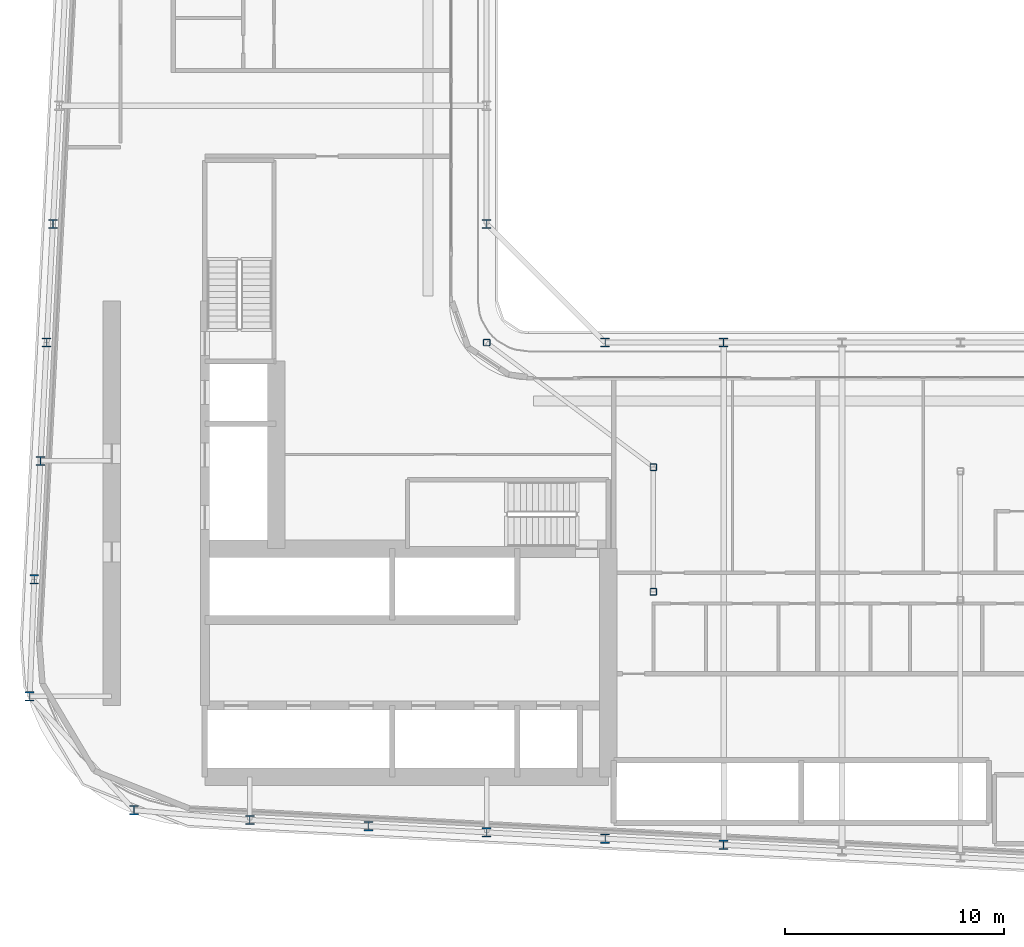
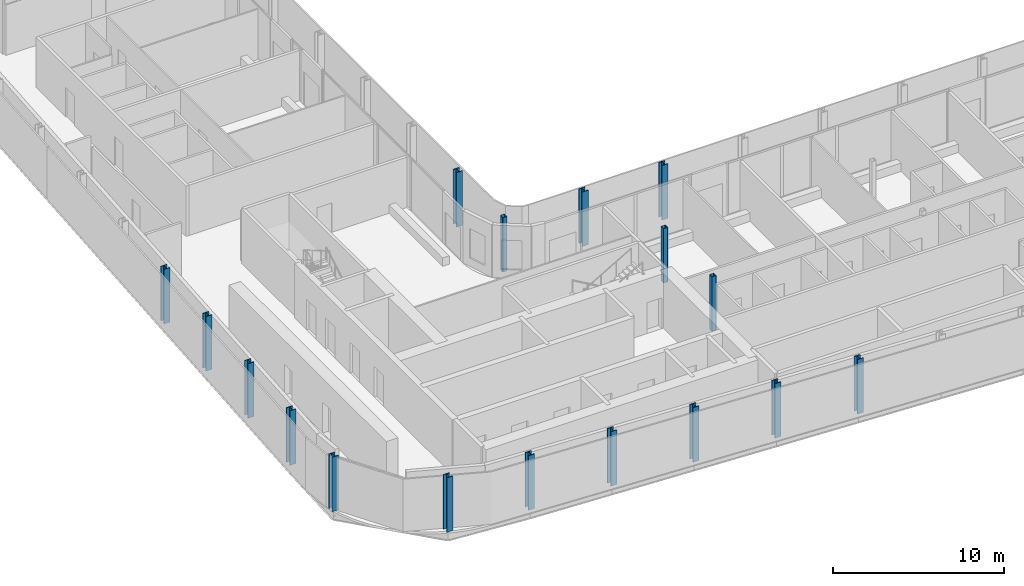
# One storey, part 1 of 27: 17 columns.
"""IFC4 building model written with IfcOpenShell, lengths in metres."""

from ifc_helpers import new_model, si_unit, direction, frame, origin, origin_2d, place, context, subcontext, project, spatial, hollow_rectangle, i_section, extrude, material, material_profile, profile_set, type_object, element, save


model = new_model("IFC4")

# Units and contexts
model_context = context("Model", 3, precision=1e-05, world=origin(), true_north=direction((0.0, 1.0)))
body_context = subcontext(model_context, "Body", "Model", "MODEL_VIEW")
ifc_project = project(units=[si_unit("LENGTHUNIT", "METRE"), si_unit("AREAUNIT", "SQUARE_METRE"), si_unit("VOLUMEUNIT", "CUBIC_METRE"), si_unit("PLANEANGLEUNIT", "RADIAN"), si_unit("MASSUNIT", "GRAM", prefix="KILO")], contexts=[model_context])

# Site, building, storey
site_placement = place(None, origin())
site = spatial("IfcSite", under=ifc_project, at=site_placement, CompositionType="ELEMENT")
building_placement = place(site_placement, origin())
building = spatial("IfcBuilding", under=site, at=building_placement, Name="Kheshtan School and Residences Tower", CompositionType="ELEMENT")
storey_placement = place(building_placement, frame((0.0, 0.0, 152.60009765625)))
storey = spatial("IfcBuildingStorey", under=building, at=storey_placement, Name="L35", CompositionType="ELEMENT", Elevation=152.60009765625)

# Columns
ifc_material_1 = material(Name="Steel ASTM A992 Grade 50", Category="steel")
ifc_material_profile_1 = material_profile(ifc_material_1, i_section(OverallWidth=0.408935546875, OverallDepth=0.425048828125, WebThickness=0.03271484375, FlangeThickness=0.052490234375, FilletRadius=0.0126953125, at=origin_2d()), Name="W360x421")
ifc_profile_set_1 = profile_set([ifc_material_profile_1], Name="Steel ASTM A992 Grade 50")
column_type_1 = type_object("IfcColumnType", Name="Column C3 W360x421 ASTM A992 Grade 50", PredefinedType="COLUMN", material=ifc_profile_set_1)
for number, where, z_axis, x_axis, name in (
    (1, (58.39990234375, 22.695068359375, 0.0), (0.0, 0.0, 1.0), (1.0, 0.0, 0.0), "Column C018"),
    (2, (53.0, 22.97998046875, 0.0), (0.0, 0.0, 1.0), (1.0, 0.0, 0.0), "Column C019"),
    (3, (47.60009765625, 23.263916015625, 0.0), (0.0, 0.0, 1.0), (1.0, 0.0, 0.0), "Column C020"),
    (4, (42.199951171875, 23.548095703125, 0.0), (0.0, 0.0, 1.0), (1.0, 0.0, 0.0), "Column C021"),
    (5, (36.800048828125, 23.83203125, 0.0), (0.0, 0.0, 1.0), (1.0, 0.0, 0.0), "Column C022"),
    (6, (31.52197265625, 24.27490234375, 0.0), (0.0, 0.0, 1.0), (1.0, 0.0, 0.0), "Column C028"),
    (7, (26.761962890625, 29.464111328125, 0.0), (0.0, 0.0, 1.0), (1.0, 0.0, 0.0), "Column C041"),
    (8, (26.968994140625, 34.800048828125, 0.0), (0.0, 0.0, 1.0), (1.0, 0.0, 0.0), "Column C052"),
    (9, (27.2529296875, 40.199951171875, 0.0), (0.0, 0.0, 1.0), (1.0, 0.0, 0.0), "Column C056"),
    (10, (27.537109375, 45.60009765625, 0.0), (0.0, 0.0, 1.0), (1.0, 0.0, 0.0), "Column C059"),
    (11, (53.0, 45.60009765625, 0.0), (0.0, 0.0, 1.0), (1.0, 0.0, 0.0), "Column C061"),
    (12, (58.39990234375, 45.60009765625, 0.0), (0.0, 0.0, 1.0), (1.0, 0.0, 0.0), "Column C062"),
    (13, (27.822021484375, 51.0, 0.0), (0.0, 0.0, 1.0), (1.0, 0.0, 0.0), "Column C078"),
    (14, (47.60009765625, 51.0, 0.0), (0.0, 0.0, 1.0), (1.0, 0.0, 0.0), "Column C079"),
):
    element("IfcColumn", number, at=place(storey_placement, frame(where, z_axis=z_axis, x_axis=x_axis)), inside=storey, type_object=column_type_1, Name=name, PredefinedType="COLUMN", context=body_context, shape_type="SweptSolid", body=[
        extrude(i_section(OverallWidth=0.408935546875, OverallDepth=0.425048828125, WebThickness=0.03271484375, FlangeThickness=0.052490234375, FilletRadius=0.0126953125, at=origin_2d()), origin(), (0.0, 0.0, 1.0), 3.89990234375),
    ])
ifc_material_2 = material(Name="Steel ASTM A500 Grade C", Category="steel")
ifc_material_profile_2 = material_profile(ifc_material_2, hollow_rectangle(XDim=0.304931640625, YDim=0.304931640625, WallThickness=0.015869140625, InnerFilletRadius=0.015869140625, OuterFilletRadius=0.03173828125, at=origin_2d()), Name="HSS 305x305x15.9")
ifc_profile_set_2 = profile_set([ifc_material_profile_2], Name="Steel ASTM A500 Grade C")
column_type_2 = type_object("IfcColumnType", Name="Column IC2 HSS 305x305x15.9 ASTM A500 Grade C", PredefinedType="COLUMN", material=ifc_profile_set_2)
for number, where, z_axis, x_axis, name in (
    (15, (55.199951171875, 34.23193359375, 0.0), (0.0, 0.0, 1.0), (1.0, 0.0, 0.0), "Column C051"),
    (16, (55.199951171875, 39.916015625, 0.0), (0.0, 0.0, 1.0), (1.0, 0.0, 0.0), "Column C055"),
    (17, (47.60009765625, 45.60009765625, 0.0), (0.0, 0.0, 1.0), (1.0, 0.0, 0.0), "Column C060"),
):
    element("IfcColumn", number, at=place(storey_placement, frame(where, z_axis=z_axis, x_axis=x_axis)), inside=storey, type_object=column_type_2, Name=name, PredefinedType="COLUMN", context=body_context, shape_type="SweptSolid", body=[
        extrude(hollow_rectangle(XDim=0.304931640625, YDim=0.304931640625, WallThickness=0.015869140625, InnerFilletRadius=0.015869140625, OuterFilletRadius=0.03173828125, at=origin_2d()), origin(), (0.0, 0.0, 1.0), 3.89990234375),
    ])

save(model, "model.ifc")
